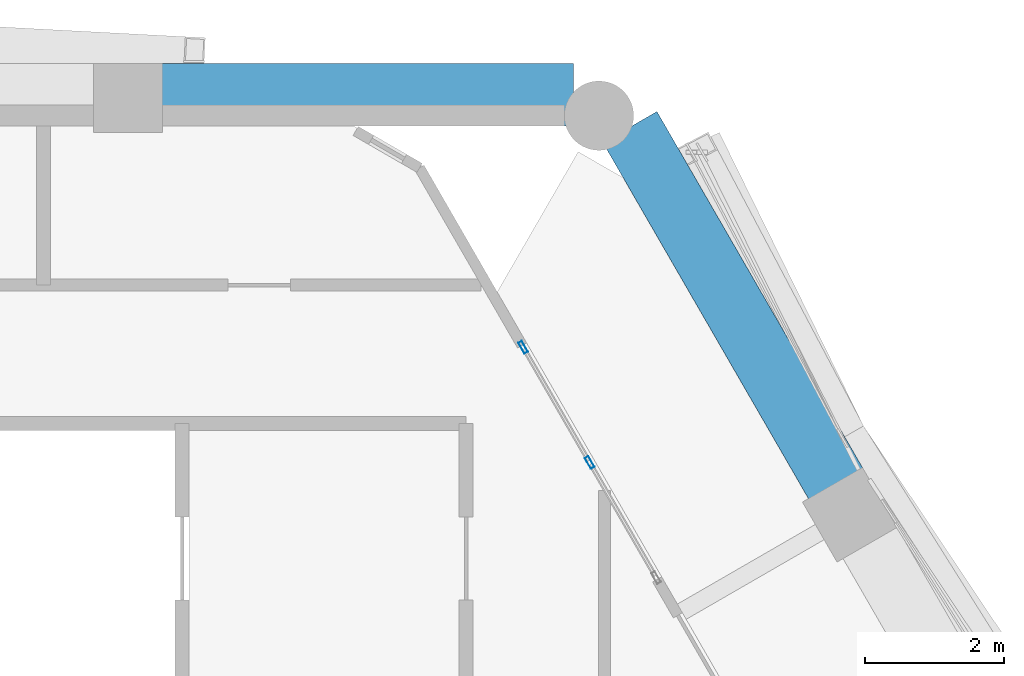
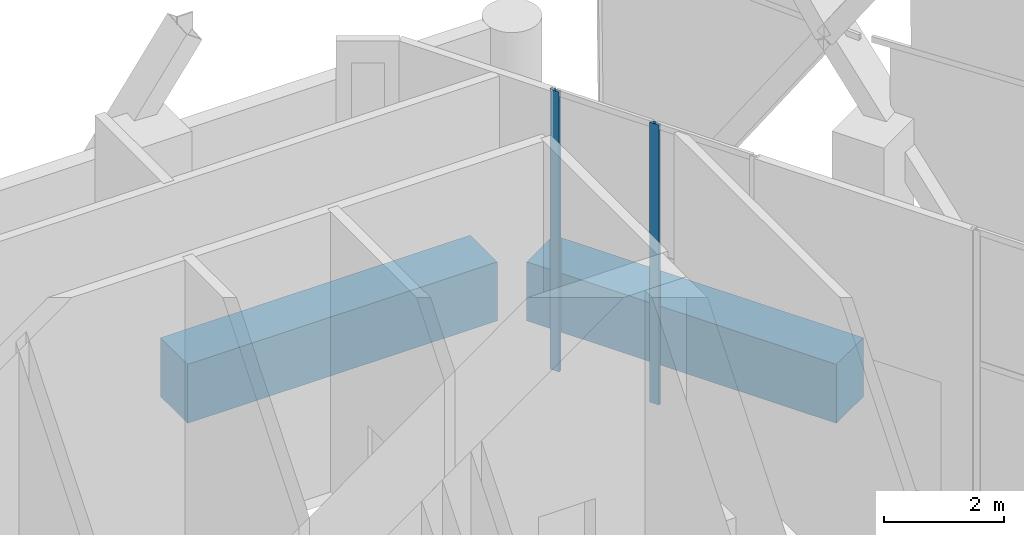
# One storey, part 31 of 43: 2 beams, 2 members, 1 element without a shape of its own.
"""IFC4 building model written with IfcOpenShell, lengths in metres."""

import ifcopenshell
import ifcopenshell.guid

model = None  # the IFC model being written
_history = None  # IfcOwnerHistory: only IFC2X3 demands one
_inside = {}  # id of a spatial element -> (the spatial element, [elements in it])
_under = {}  # id of a project, library or spatial element -> (it, [spatial elements below it])
_declared = {}  # id of a project -> (the project, [libraries it declares])
_typed = {}  # id of a type object -> (the type object, [elements of that type])
_made_of = {}  # id of a material, layer set ... -> (it, [elements and type objects made of it])


def new_model(schema):
    """Start an empty IFC model of exactly this schema.

    Asked for "IFC4X3", IfcOpenShell would pick the latest addendum, in which some entities
    have other attributes; the version numbers below select the first issue.
    IFC2X3 requires an IfcOwnerHistory on every rooted entity: one is made here for all.
    """
    global model, _history
    if schema == "IFC4X3":
        model = ifcopenshell.file(schema_version=(4, 3, 0, 0))
    else:
        model = ifcopenshell.file(schema=schema)
    _inside.clear()
    _under.clear()
    _declared.clear()
    _typed.clear()
    _made_of.clear()
    _history = None
    if model.schema == "IFC2X3":
        org = make("IfcOrganization", Name="unknown")
        user = make(
            "IfcPersonAndOrganization",
            ThePerson=make("IfcPerson", FamilyName="unknown"),
            TheOrganization=org,
        )
        app = make(
            "IfcApplication",
            ApplicationDeveloper=org,
            Version="unknown",
            ApplicationFullName="unknown",
            ApplicationIdentifier="unknown",
        )
        _history = make(
            "IfcOwnerHistory",
            OwningUser=user,
            OwningApplication=app,
            ChangeAction="ADDED",
            CreationDate=0,
        )
    return model


def make(cls, **values):
    """One entity of the class cls with the attributes given. An attribute that is None is left unset."""
    return model.create_entity(
        cls, **{name: value for name, value in values.items() if value is not None}
    )


def rooted(cls, **values):
    """An entity with a GlobalId (a new one), such as an element, a storey or a relation."""
    return make(cls, GlobalId=ifcopenshell.guid.new(), OwnerHistory=_history, **values)


def si_unit(unit_type, name, prefix=None):
    """IfcSIUnit, for example si_unit("LENGTHUNIT", "METRE", prefix="MILLI")."""
    return make("IfcSIUnit", UnitType=unit_type, Prefix=prefix, Name=name)


def assignment(units):
    """IfcUnitAssignment: the units of a project."""
    return None if units is None else make("IfcUnitAssignment", Units=units)


def point(xyz):
    """IfcCartesianPoint."""
    return None if xyz is None else make("IfcCartesianPoint", Coordinates=xyz)


def direction(xyz):
    """IfcDirection."""
    return None if xyz is None else make("IfcDirection", DirectionRatios=xyz)


def frame(location, z_axis=None, x_axis=None):
    """IfcAxis2Placement3D, a coordinate frame: its origin and axes. An axis left out is left unset."""
    return make(
        "IfcAxis2Placement3D",
        Location=point(location),
        Axis=direction(z_axis),
        RefDirection=direction(x_axis),
    )


def frame_2d(location, x_axis=None):
    """IfcAxis2Placement2D, a coordinate frame in the plane: its origin and x axis."""
    return make(
        "IfcAxis2Placement2D", Location=point(location), RefDirection=direction(x_axis)
    )


def origin():
    """The frame at (0, 0, 0) with its axes left unset."""
    return frame((0.0, 0.0, 0.0))


def origin_2d():
    """The frame at (0, 0) in the plane with its x axis left unset."""
    return frame_2d((0.0, 0.0))


def place(relative_to, where):
    """IfcLocalPlacement: puts the frame where relative to a parent placement (None: the world)."""
    return make(
        "IfcLocalPlacement", PlacementRelTo=relative_to, RelativePlacement=where
    )


def context(
    kind, dimensions, precision=None, world=None, true_north=None, identifier=None
):
    """IfcGeometricRepresentationContext, for example the 3D "Model" context."""
    return make(
        "IfcGeometricRepresentationContext",
        ContextIdentifier=identifier,
        ContextType=kind,
        CoordinateSpaceDimension=dimensions,
        Precision=precision,
        WorldCoordinateSystem=world,
        TrueNorth=true_north,
    )


def subcontext(parent, identifier, kind, view, scale=None):
    """IfcGeometricRepresentationSubContext, for example "Body" below "Model"."""
    return make(
        "IfcGeometricRepresentationSubContext",
        ContextIdentifier=identifier,
        ContextType=kind,
        ParentContext=parent,
        TargetScale=scale,
        TargetView=view,
    )


def project(units=None, contexts=None):
    """IfcProject with its units and contexts."""
    return rooted(
        "IfcProject",
        Name="project",
        RepresentationContexts=contexts,
        UnitsInContext=assignment(units),
    )


def spatial(cls, under=None, at=None, **own):
    """A site, building, storey or space (cls), placed at a placement, below another one or the project."""
    s = rooted(cls, ObjectPlacement=at, **own)
    if under is not None:
        _under.setdefault(under.id(), (under, []))[1].append(s)
    return s


def profile(cls, at=None, kind="AREA", **sizes):
    """A parametric profile (cls). Its sizes go by their IFC names, for example OverallWidth=200.0."""
    return make(cls, ProfileType=kind, Position=at, **sizes)


def rectangle(**sizes):
    """IfcRectangleProfileDef."""
    return profile("IfcRectangleProfileDef", **sizes)


def hollow_rectangle(**sizes):
    """IfcRectangleHollowProfileDef."""
    return profile("IfcRectangleHollowProfileDef", **sizes)


def extrude(swept, where, along, depth):
    """IfcExtrudedAreaSolid: the profile swept, set in the frame where, extruded along a direction by depth."""
    return make(
        "IfcExtrudedAreaSolid",
        SweptArea=swept,
        Position=where,
        ExtrudedDirection=direction(along),
        Depth=depth,
    )


def shape(context_of_items, identifier, shape_type, items):
    """IfcShapeRepresentation: the items that make up one representation, for example the "Body"."""
    return make(
        "IfcShapeRepresentation",
        ContextOfItems=context_of_items,
        RepresentationIdentifier=identifier,
        RepresentationType=shape_type,
        Items=items,
    )


def material(Name=None, Category=None):
    """IfcMaterial."""
    return make("IfcMaterial", Name=Name, Category=Category)


def material_profile(
    of_material, cross_section, Name=None, Category=None, Priority=None
):
    """IfcMaterialProfile: a cross section and its material."""
    return make(
        "IfcMaterialProfile",
        Name=Name,
        Material=of_material,
        Profile=cross_section,
        Priority=Priority,
        Category=Category,
    )


def profile_set(profiles, Name=None, composite=None):
    """IfcMaterialProfileSet."""
    return make(
        "IfcMaterialProfileSet",
        Name=Name,
        MaterialProfiles=profiles,
        CompositeProfile=composite,
    )


def made_of(thing, what):
    """Note that an element or type object is made of a material, layer set ...; save() writes the relation."""
    if what is not None:
        _made_of.setdefault(what.id(), (what, []))[1].append(thing)
    return thing


def type_object(cls, material=None, **own):
    """A type object (cls), such as IfcWallType, which elements share."""
    return made_of(rooted(cls, **own), material)


def element(
    cls,
    number,
    at=None,
    inside=None,
    cuts=None,
    type_object=None,
    material=None,
    context=None,
    identifier="Body",
    shape_type=None,
    held_by="IfcProductDefinitionShape",
    body=None,
    shapes=None,
    **own,
):
    """One element of the class cls, such as IfcWall. Its Tag is "e" and its number.

    at: its placement. inside: the storey or other place that contains it. cuts: it is an
    opening in that element (IfcRelVoidsElement). A single representation is given by context,
    identifier, shape_type and body (its items); several are given by shapes. held_by: the class
    of the entity that holds the representations. save() writes the other relations.
    """
    e = rooted(cls, Tag="e%d" % number, ObjectPlacement=at, **own)
    if body is not None:
        shapes = [shape(context, identifier, shape_type, body)]
    if shapes is not None:
        e.Representation = make(held_by, Representations=shapes)
    if inside is not None:
        _inside.setdefault(inside.id(), (inside, []))[1].append(e)
    if cuts is not None:
        rooted(
            "IfcRelVoidsElement", RelatingBuildingElement=cuts, RelatedOpeningElement=e
        )
    if type_object is not None:
        _typed.setdefault(type_object.id(), (type_object, []))[1].append(e)
    return made_of(e, material)


def aggregate(whole, parts):
    """IfcRelAggregates: a whole, such as a stair, and the parts it consists of."""
    return rooted("IfcRelAggregates", RelatingObject=whole, RelatedObjects=parts)


def save(model, path):
    """Write the relations noted so far, then the file.

    IfcRelAggregates (storeys below a building ...), IfcRelContainedInSpatialStructure (elements
    in a storey), IfcRelDefinesByType, IfcRelAssociatesMaterial and IfcRelDeclares: one each for
    every whole, place, type object, material and project.
    """
    for whole, parts in _under.values():
        aggregate(whole, parts)
    for where, things in _inside.values():
        rooted(
            "IfcRelContainedInSpatialStructure",
            RelatedElements=things,
            RelatingStructure=where,
        )
    for kind, things in _typed.values():
        rooted("IfcRelDefinesByType", RelatedObjects=things, RelatingType=kind)
    for what, things in _made_of.values():
        rooted("IfcRelAssociatesMaterial", RelatedObjects=things, RelatingMaterial=what)
    for by, libraries in _declared.values():
        rooted("IfcRelDeclares", RelatingContext=by, RelatedDefinitions=libraries)
    model.write(path)


model = new_model("IFC4")

# Units and contexts
model_context = context("Model", 3, precision=1e-05, world=origin(), true_north=direction((0.0, 1.0)))
body_context = subcontext(model_context, "Body", "Model", "MODEL_VIEW")
ifc_project = project(units=[si_unit("LENGTHUNIT", "METRE"), si_unit("AREAUNIT", "SQUARE_METRE"), si_unit("VOLUMEUNIT", "CUBIC_METRE"), si_unit("PLANEANGLEUNIT", "RADIAN"), si_unit("MASSUNIT", "GRAM", prefix="KILO")], contexts=[model_context])

# Site, building, storey
site_placement = place(None, origin())
site = spatial("IfcSite", under=ifc_project, at=site_placement, CompositionType="ELEMENT")
building_placement = place(site_placement, origin())
building = spatial("IfcBuilding", under=site, at=building_placement, Name="Ostrander Bayou Hotel Tower", CompositionType="ELEMENT")
storey_placement = place(building_placement, frame((0.0, 0.0, 151.0)))
storey = spatial("IfcBuildingStorey", under=building, at=storey_placement, Name="L37", CompositionType="ELEMENT", Elevation=151.0)

# Curtain wall, members
ifc_material_1 = material(Name="Aluminium and clear glass", Category="aluminium")
curtain_wall_type = type_object("IfcCurtainWallType", Name="CW-SKY amenity glass wall", PredefinedType="NOTDEFINED", material=ifc_material_1)
curtain_wall_placement = place(storey_placement, origin())
curtain_wall = element("IfcCurtainWall", 1, at=curtain_wall_placement, inside=storey, type_object=curtain_wall_type, Name="CW-SKY L37 NE 4", PredefinedType="NOTDEFINED")
ifc_material_2 = material(Name="Aluminium", Category="aluminium")
ifc_material_profile_1 = material_profile(ifc_material_2, hollow_rectangle(XDim=0.06005859375, YDim=0.179931640625, WallThickness=0.00390625, at=origin_2d()))
ifc_profile_set_1 = profile_set([ifc_material_profile_1], Name="Aluminium")
member_type = type_object("IfcMemberType", Name="CW-SK mullion 60 x 180 mm", PredefinedType="MULLION", material=ifc_profile_set_1)
member_1_placement = place(storey_placement, frame((10.283447265625, 13.03857421875, 0.0), z_axis=(0.0, 0.0, 1.0), x_axis=(-0.866025463091, -0.499999897278, 0.0)))
member_1 = element("IfcMember", 2, at=member_1_placement, type_object=member_type, Name="CW-SKY mullion 2", PredefinedType="MULLION", context=body_context, shape_type="SweptSolid", body=[
    extrude(hollow_rectangle(XDim=0.06005859375, YDim=0.179931640625, WallThickness=0.00390625, at=origin_2d()), origin(), (0.0, 0.0, 1.0), 5.699951171875),
])
member_2_placement = place(storey_placement, frame((9.323486328125, 14.701416015625, 0.0), z_axis=(0.0, 0.0, 1.0), x_axis=(-0.866025463091, -0.499999897278, 0.0)))
member_2 = element("IfcMember", 3, at=member_2_placement, type_object=member_type, Name="CW-SKY mullion 3", PredefinedType="MULLION", context=body_context, shape_type="SweptSolid", body=[
    extrude(hollow_rectangle(XDim=0.06005859375, YDim=0.179931640625, WallThickness=0.00390625, at=origin_2d()), origin(), (0.0, 0.0, 1.0), 5.699951171875),
])
aggregate(curtain_wall, [member_1, member_2])

# Beams
ifc_material_3 = material(Name="Concrete f'c 60 MPa", Category="concrete")
ifc_material_profile_2 = material_profile(ifc_material_3, rectangle(XDim=0.89990234375, YDim=1.199951171875, at=origin_2d()))
ifc_profile_set_2 = profile_set([ifc_material_profile_2], Name="Concrete f'c 60 MPa")
beam_type = type_object("IfcBeamType", Name="SP3 spandrel beam 900 x 1200 mm f'c 60 MPa", PredefinedType="SPANDREL", material=ifc_profile_set_2)
beam_1_placement = place(storey_placement, frame((10.052001953125, 18.35009765625, -0.60009765625), z_axis=(-1.0, 0.0, 0.0), x_axis=(0.0, -1.0, 0.0)))
element("IfcBeam", 4, at=beam_1_placement, inside=storey, type_object=beam_type, Name="SP3 L37 N-1", PredefinedType="SPANDREL", context=body_context, shape_type="SweptSolid", body=[
    extrude(rectangle(XDim=0.89990234375, YDim=1.199951171875, at=origin_2d()), origin(), (0.0, 0.0, 1.0), 5.9638671875),
])
beam_2_placement = place(storey_placement, frame((13.847412109375, 12.71533203125, -0.60009765625), z_axis=(-0.49998703478, 0.866032889128, 0.0), x_axis=(-0.866032889128, -0.49998703478, 0.0)))
element("IfcBeam", 5, at=beam_2_placement, inside=storey, type_object=beam_type, Name="SP3 L37 NE-3", PredefinedType="SPANDREL", context=body_context, shape_type="SweptSolid", body=[
    extrude(rectangle(XDim=0.89990234375, YDim=1.199951171875, at=origin_2d()), origin(), (0.0, 0.0, 1.0), 5.964111328125),
])

save(model, "model.ifc")
